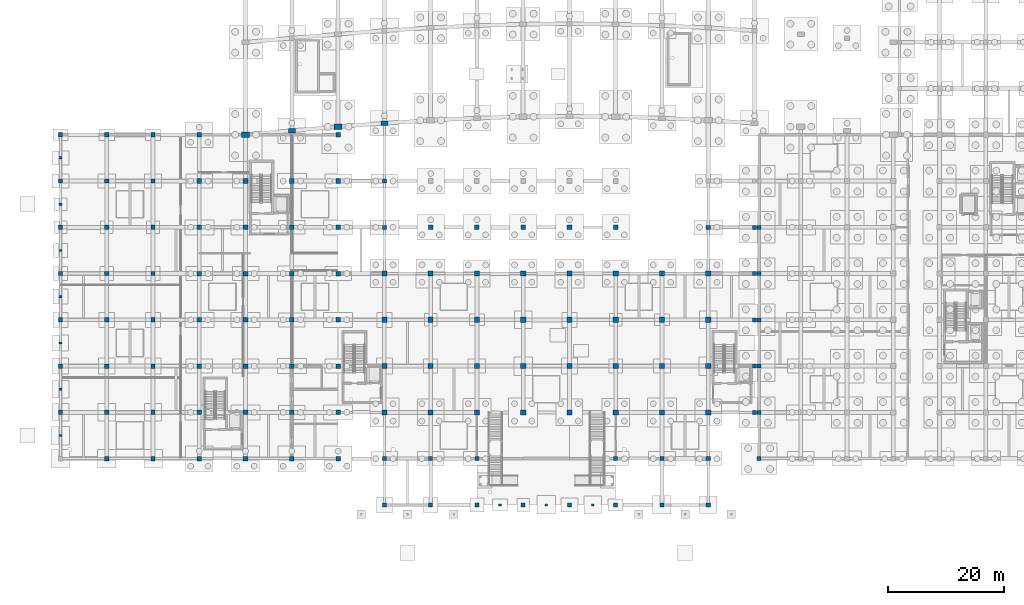
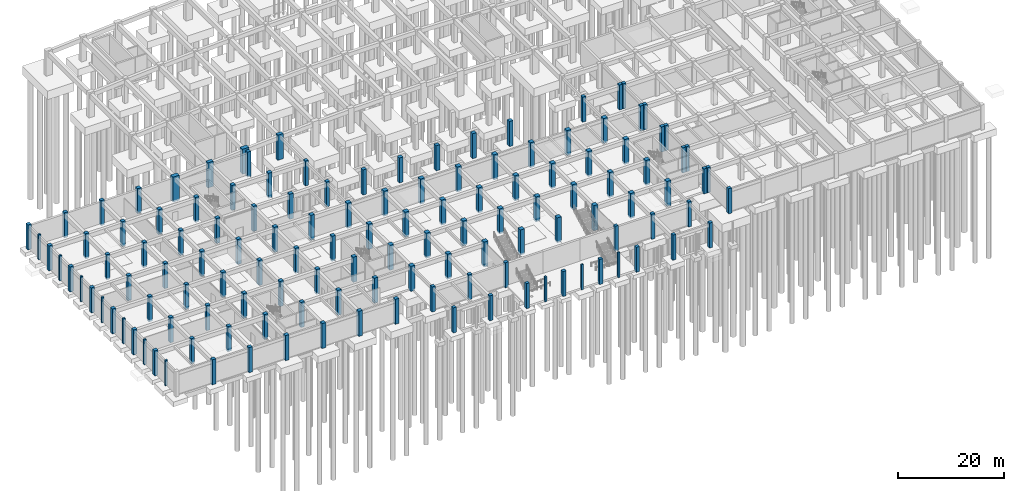
# One storey, part 10 of 45: 132 columns.
"""IFC4 building model written with IfcOpenShell, lengths in metres."""

from ifc_helpers import new_model, si_unit, direction, frame, origin, origin_2d, place, context, subcontext, project, spatial, rectangle, extrude, material, material_profile, profile_set, type_object, element, save


model = new_model("IFC4")

# Units and contexts
model_context = context("Model", 3, precision=1e-05, world=origin(), true_north=direction((0.0, 1.0)))
body_context = subcontext(model_context, "Body", "Model", "MODEL_VIEW")
ifc_project = project(units=[si_unit("LENGTHUNIT", "METRE"), si_unit("AREAUNIT", "SQUARE_METRE"), si_unit("VOLUMEUNIT", "CUBIC_METRE"), si_unit("PLANEANGLEUNIT", "RADIAN"), si_unit("MASSUNIT", "GRAM", prefix="KILO")], contexts=[model_context])

# Site, building, storey
site_placement = place(None, origin())
site = spatial("IfcSite", under=ifc_project, at=site_placement, CompositionType="ELEMENT")
building_placement = place(site_placement, origin())
building = spatial("IfcBuilding", under=site, at=building_placement, Name="Kenh Van Central Station", CompositionType="ELEMENT")
storey_placement = place(building_placement, frame((0.0, 0.0, -5.39990234375)))
storey = spatial("IfcBuildingStorey", under=building, at=storey_placement, Name="B1", CompositionType="ELEMENT", Elevation=-5.39990234375)

# Columns
ifc_material_1 = material(Name="Concrete C40/50", Category="concrete")
ifc_material_profile_1 = material_profile(ifc_material_1, rectangle(XDim=1.199951171875, YDim=0.800048828125, at=origin_2d()), Name="RC 1200x800")
ifc_profile_set_1 = profile_set([ifc_material_profile_1], Name="Concrete C40/50")
column_type_1 = type_object("IfcColumnType", Name="COL-PIER-1200x800", PredefinedType="COLUMN", material=ifc_profile_set_1)
for number, where, z_axis, x_axis, name in (
    (1, (40.0, 64.712158203125, -0.400146484375), (0.0, 0.0, 1.0), (1.0, 0.0, 0.0), "B1 column VPI-01-0"),
    (2, (56.0, 65.9951171875, -0.400146484375), (0.0, 0.0, 1.0), (1.0, 0.0, 0.0), "B1 column VPI-03-0"),
):
    element("IfcColumn", number, at=place(storey_placement, frame(where, z_axis=z_axis, x_axis=x_axis)), inside=storey, type_object=column_type_1, Name=name, PredefinedType="COLUMN", context=body_context, shape_type="SweptSolid", body=[
        extrude(rectangle(XDim=1.199951171875, YDim=0.800048828125, at=origin_2d()), origin(), (0.0, 0.0, 1.0), 5.800048828125),
    ])
ifc_material_profile_2 = material_profile(ifc_material_1, rectangle(XDim=1.39990234375, YDim=0.89990234375, at=origin_2d()), Name="RC 1400x900")
ifc_profile_set_2 = profile_set([ifc_material_profile_2], Name="Concrete C40/50")
column_type_2 = type_object("IfcColumnType", Name="COL-PIER-1400x900", PredefinedType="COLUMN", material=ifc_profile_set_2)
for number, where, z_axis, x_axis, name in (
    (3, (32.0, 64.0, -0.400146484375), (0.0, 0.0, 1.0), (1.0, 0.0, 0.0), "B1 column VP-00-0"),
    (4, (48.0, 65.388427734375, -0.400146484375), (0.0, 0.0, 1.0), (1.0, 0.0, 0.0), "B1 column VP-02-0"),
):
    element("IfcColumn", number, at=place(storey_placement, frame(where, z_axis=z_axis, x_axis=x_axis)), inside=storey, type_object=column_type_2, Name=name, PredefinedType="COLUMN", context=body_context, shape_type="SweptSolid", body=[
        extrude(rectangle(XDim=1.39990234375, YDim=0.89990234375, at=origin_2d()), origin(), (0.0, 0.0, 1.0), 5.800048828125),
    ])
ifc_material_profile_3 = material_profile(ifc_material_1, rectangle(XDim=0.699951171875, YDim=0.699951171875, at=origin_2d()), Name="RC 700x700")
ifc_profile_set_3 = profile_set([ifc_material_profile_3], Name="Concrete C40/50")
column_type_3 = type_object("IfcColumnType", Name="COL-RC-700x700", PredefinedType="COLUMN", material=ifc_profile_set_3)
for number, where, z_axis, x_axis, name in (
    (5, (56.0, 0.0, -0.400146484375), (0.0, 0.0, 1.0), (1.0, 0.0, 0.0), "B1 column CF-056-000"),
    (6, (56.0, 8.0, -0.400146484375), (0.0, 0.0, 1.0), (1.0, 0.0, 0.0), "B1 column CF-056-008"),
    (7, (64.0, 0.0, -0.400146484375), (0.0, 0.0, 1.0), (1.0, 0.0, 0.0), "B1 column CF-064-000"),
    (8, (64.0, 8.0, -0.400146484375), (0.0, 0.0, 1.0), (1.0, 0.0, 0.0), "B1 column CF-064-008"),
    (9, (72.0, 0.0, -0.400146484375), (0.0, 0.0, 1.0), (1.0, 0.0, 0.0), "B1 column CF-072-000"),
    (10, (72.0, 8.0, -0.400146484375), (0.0, 0.0, 1.0), (1.0, 0.0, 0.0), "B1 column CF-072-008"),
    (11, (80.0, 0.0, -0.400146484375), (0.0, 0.0, 1.0), (1.0, 0.0, 0.0), "B1 column CF-080-000"),
    (12, (88.0, 0.0, -0.400146484375), (0.0, 0.0, 1.0), (1.0, 0.0, 0.0), "B1 column CF-088-000"),
    (13, (96.0, 0.0, -0.400146484375), (0.0, 0.0, 1.0), (1.0, 0.0, 0.0), "B1 column CF-096-000"),
    (14, (96.0, 8.0, -0.400146484375), (0.0, 0.0, 1.0), (1.0, 0.0, 0.0), "B1 column CF-096-008"),
    (15, (104.0, 0.0, -0.400146484375), (0.0, 0.0, 1.0), (1.0, 0.0, 0.0), "B1 column CF-104-000"),
    (16, (104.0, 8.0, -0.400146484375), (0.0, 0.0, 1.0), (1.0, 0.0, 0.0), "B1 column CF-104-008"),
    (17, (112.0, 0.0, -0.400146484375), (0.0, 0.0, 1.0), (1.0, 0.0, 0.0), "B1 column CF-112-000"),
    (18, (112.0, 8.0, -0.400146484375), (0.0, 0.0, 1.0), (1.0, 0.0, 0.0), "B1 column CF-112-008"),
    (19, (120.0, 16.0, -0.400146484375), (0.0, 0.0, 1.0), (1.0, 0.0, 0.0), "B1 column CC-120-016"),
    (20, (120.0, 24.0, -0.400146484375), (0.0, 0.0, 1.0), (1.0, 0.0, 0.0), "B1 column CC-120-024"),
    (21, (120.0, 32.0, -0.400146484375), (0.0, 0.0, 1.0), (1.0, 0.0, 0.0), "B1 column CC-120-032"),
    (22, (120.0, 40.0, -0.400146484375), (0.0, 0.0, 1.0), (1.0, 0.0, 0.0), "B1 column CC-120-040"),
    (23, (56.0, 48.0, -0.400146484375), (0.0, 0.0, 1.0), (1.0, 0.0, 0.0), "B1 column CL-056-048"),
    (24, (56.0, 56.0, -0.400146484375), (0.0, 0.0, 1.0), (1.0, 0.0, 0.0), "B1 column CL-056-056"),
    (25, (112.0, 48.0, -0.400146484375), (0.0, 0.0, 1.0), (1.0, 0.0, 0.0), "B1 column CL-112-048"),
    (26, (120.0, 48.0, -0.400146484375), (0.0, 0.0, 1.0), (1.0, 0.0, 0.0), "B1 column CL-120-048"),
    (27, (120.800048828125, 8.0, -0.400146484375), (0.0, 0.0, 1.0), (1.0, 0.0, 0.0), "B1 column CE-1208-008"),
    (28, (120.800048828125, 16.0, -0.400146484375), (0.0, 0.0, 1.0), (1.0, 0.0, 0.0), "B1 column CE-1208-016"),
    (29, (120.800048828125, 24.0, -0.400146484375), (0.0, 0.0, 1.0), (1.0, 0.0, 0.0), "B1 column CE-1208-024"),
    (30, (120.800048828125, 32.0, -0.400146484375), (0.0, 0.0, 1.0), (1.0, 0.0, 0.0), "B1 column CE-1208-032"),
    (31, (120.800048828125, 40.0, -0.400146484375), (0.0, 0.0, 1.0), (1.0, 0.0, 0.0), "B1 column CE-1208-040"),
    (32, (120.800048828125, 48.0, -0.400146484375), (0.0, 0.0, 1.0), (1.0, 0.0, 0.0), "B1 column CE-1208-048"),
):
    element("IfcColumn", number, at=place(storey_placement, frame(where, z_axis=z_axis, x_axis=x_axis)), inside=storey, type_object=column_type_3, Name=name, PredefinedType="COLUMN", context=body_context, shape_type="SweptSolid", body=[
        extrude(rectangle(XDim=0.699951171875, YDim=0.699951171875, at=origin_2d()), origin(), (0.0, 0.0, 1.0), 5.800048828125),
    ])
ifc_material_profile_4 = material_profile(ifc_material_1, rectangle(XDim=0.75, YDim=0.75, at=origin_2d()), Name="RC 750x750")
ifc_profile_set_4 = profile_set([ifc_material_profile_4], Name="Concrete C40/50")
column_type_4 = type_object("IfcColumnType", Name="COL-RC-750x750", PredefinedType="COLUMN", material=ifc_profile_set_4)
for number, where, z_axis, x_axis, name in (
    (33, (0.0, 16.0, -0.400146484375), (0.0, 0.0, 1.0), (1.0, 0.0, 0.0), "B1 column CW-000-016"),
    (34, (0.0, 24.0, -0.400146484375), (0.0, 0.0, 1.0), (1.0, 0.0, 0.0), "B1 column CW-000-024"),
    (35, (0.0, 32.0, -0.400146484375), (0.0, 0.0, 1.0), (1.0, 0.0, 0.0), "B1 column CW-000-032"),
    (36, (0.0, 40.0, -0.400146484375), (0.0, 0.0, 1.0), (1.0, 0.0, 0.0), "B1 column CW-000-040"),
    (37, (0.0, 48.0, -0.400146484375), (0.0, 0.0, 1.0), (1.0, 0.0, 0.0), "B1 column CW-000-048"),
    (38, (0.0, 56.0, -0.400146484375), (0.0, 0.0, 1.0), (1.0, 0.0, 0.0), "B1 column CW-000-056"),
    (39, (0.0, 64.0, -0.400146484375), (0.0, 0.0, 1.0), (1.0, 0.0, 0.0), "B1 column CW-000-064"),
    (40, (8.0, 8.0, -0.400146484375), (0.0, 0.0, 1.0), (1.0, 0.0, 0.0), "B1 column CW-008-008"),
    (41, (8.0, 16.0, -0.400146484375), (0.0, 0.0, 1.0), (1.0, 0.0, 0.0), "B1 column CW-008-016"),
    (42, (8.0, 24.0, -0.400146484375), (0.0, 0.0, 1.0), (1.0, 0.0, 0.0), "B1 column CW-008-024"),
    (43, (8.0, 32.0, -0.400146484375), (0.0, 0.0, 1.0), (1.0, 0.0, 0.0), "B1 column CW-008-032"),
    (44, (8.0, 40.0, -0.400146484375), (0.0, 0.0, 1.0), (1.0, 0.0, 0.0), "B1 column CW-008-040"),
    (45, (8.0, 48.0, -0.400146484375), (0.0, 0.0, 1.0), (1.0, 0.0, 0.0), "B1 column CW-008-048"),
    (46, (8.0, 56.0, -0.400146484375), (0.0, 0.0, 1.0), (1.0, 0.0, 0.0), "B1 column CW-008-056"),
    (47, (8.0, 64.0, -0.400146484375), (0.0, 0.0, 1.0), (1.0, 0.0, 0.0), "B1 column CW-008-064"),
    (48, (16.0, 8.0, -0.400146484375), (0.0, 0.0, 1.0), (1.0, 0.0, 0.0), "B1 column CW-016-008"),
    (49, (16.0, 16.0, -0.400146484375), (0.0, 0.0, 1.0), (1.0, 0.0, 0.0), "B1 column CW-016-016"),
    (50, (16.0, 24.0, -0.400146484375), (0.0, 0.0, 1.0), (1.0, 0.0, 0.0), "B1 column CW-016-024"),
    (51, (16.0, 32.0, -0.400146484375), (0.0, 0.0, 1.0), (1.0, 0.0, 0.0), "B1 column CW-016-032"),
    (52, (16.0, 40.0, -0.400146484375), (0.0, 0.0, 1.0), (1.0, 0.0, 0.0), "B1 column CW-016-040"),
    (53, (16.0, 48.0, -0.400146484375), (0.0, 0.0, 1.0), (1.0, 0.0, 0.0), "B1 column CW-016-048"),
    (54, (16.0, 56.0, -0.400146484375), (0.0, 0.0, 1.0), (1.0, 0.0, 0.0), "B1 column CW-016-056"),
    (55, (16.0, 64.0, -0.400146484375), (0.0, 0.0, 1.0), (1.0, 0.0, 0.0), "B1 column CW-016-064"),
    (56, (48.0, 64.0, -0.400146484375), (0.0, 0.0, 1.0), (1.0, 0.0, 0.0), "B1 column CWST-48-64"),
):
    element("IfcColumn", number, at=place(storey_placement, frame(where, z_axis=z_axis, x_axis=x_axis)), inside=storey, type_object=column_type_4, Name=name, PredefinedType="COLUMN", context=body_context, shape_type="SweptSolid", body=[
        extrude(rectangle(XDim=0.75, YDim=0.75, at=origin_2d()), origin(), (0.0, 0.0, 1.0), 5.800048828125),
    ])
ifc_material_profile_5 = material_profile(ifc_material_1, rectangle(XDim=0.800048828125, YDim=0.800048828125, at=origin_2d()), Name="RC 800x800")
ifc_profile_set_5 = profile_set([ifc_material_profile_5], Name="Concrete C40/50")
column_type_5 = type_object("IfcColumnType", Name="COL-RC-800x800", PredefinedType="COLUMN", material=ifc_profile_set_5)
for number, where, z_axis, x_axis, name in (
    (57, (24.0, 8.0, -0.400146484375), (0.0, 0.0, 1.0), (1.0, 0.0, 0.0), "B1 column CW-024-008"),
    (58, (24.0, 16.0, -0.400146484375), (0.0, 0.0, 1.0), (1.0, 0.0, 0.0), "B1 column CW-024-016"),
    (59, (24.0, 24.0, -0.400146484375), (0.0, 0.0, 1.0), (1.0, 0.0, 0.0), "B1 column CW-024-024"),
    (60, (24.0, 32.0, -0.400146484375), (0.0, 0.0, 1.0), (1.0, 0.0, 0.0), "B1 column CW-024-032"),
    (61, (24.0, 40.0, -0.400146484375), (0.0, 0.0, 1.0), (1.0, 0.0, 0.0), "B1 column CW-024-040"),
    (62, (24.0, 48.0, -0.400146484375), (0.0, 0.0, 1.0), (1.0, 0.0, 0.0), "B1 column CW-024-048"),
    (63, (24.0, 56.0, -0.400146484375), (0.0, 0.0, 1.0), (1.0, 0.0, 0.0), "B1 column CW-024-056"),
    (64, (24.0, 64.0, -0.400146484375), (0.0, 0.0, 1.0), (1.0, 0.0, 0.0), "B1 column CW-024-064"),
    (65, (32.0, 8.0, -0.400146484375), (0.0, 0.0, 1.0), (1.0, 0.0, 0.0), "B1 column CW-032-008"),
    (66, (32.0, 16.0, -0.400146484375), (0.0, 0.0, 1.0), (1.0, 0.0, 0.0), "B1 column CW-032-016"),
    (67, (32.0, 24.0, -0.400146484375), (0.0, 0.0, 1.0), (1.0, 0.0, 0.0), "B1 column CW-032-024"),
    (68, (32.0, 32.0, -0.400146484375), (0.0, 0.0, 1.0), (1.0, 0.0, 0.0), "B1 column CW-032-032"),
    (69, (32.0, 40.0, -0.400146484375), (0.0, 0.0, 1.0), (1.0, 0.0, 0.0), "B1 column CW-032-040"),
    (70, (32.0, 48.0, -0.400146484375), (0.0, 0.0, 1.0), (1.0, 0.0, 0.0), "B1 column CW-032-048"),
    (71, (32.0, 56.0, -0.400146484375), (0.0, 0.0, 1.0), (1.0, 0.0, 0.0), "B1 column CW-032-056"),
    (72, (40.0, 8.0, -0.400146484375), (0.0, 0.0, 1.0), (1.0, 0.0, 0.0), "B1 column CW-040-008"),
    (73, (40.0, 16.0, -0.400146484375), (0.0, 0.0, 1.0), (1.0, 0.0, 0.0), "B1 column CW-040-016"),
    (74, (40.0, 24.0, -0.400146484375), (0.0, 0.0, 1.0), (1.0, 0.0, 0.0), "B1 column CW-040-024"),
    (75, (40.0, 32.0, -0.400146484375), (0.0, 0.0, 1.0), (1.0, 0.0, 0.0), "B1 column CW-040-032"),
    (76, (40.0, 40.0, -0.400146484375), (0.0, 0.0, 1.0), (1.0, 0.0, 0.0), "B1 column CW-040-040"),
    (77, (40.0, 48.0, -0.400146484375), (0.0, 0.0, 1.0), (1.0, 0.0, 0.0), "B1 column CW-040-048"),
    (78, (40.0, 56.0, -0.400146484375), (0.0, 0.0, 1.0), (1.0, 0.0, 0.0), "B1 column CW-040-056"),
    (79, (48.0, 8.0, -0.400146484375), (0.0, 0.0, 1.0), (1.0, 0.0, 0.0), "B1 column CW-048-008"),
    (80, (48.0, 16.0, -0.400146484375), (0.0, 0.0, 1.0), (1.0, 0.0, 0.0), "B1 column CW-048-016"),
    (81, (48.0, 24.0, -0.400146484375), (0.0, 0.0, 1.0), (1.0, 0.0, 0.0), "B1 column CW-048-024"),
    (82, (48.0, 32.0, -0.400146484375), (0.0, 0.0, 1.0), (1.0, 0.0, 0.0), "B1 column CW-048-032"),
    (83, (48.0, 40.0, -0.400146484375), (0.0, 0.0, 1.0), (1.0, 0.0, 0.0), "B1 column CW-048-040"),
    (84, (48.0, 48.0, -0.400146484375), (0.0, 0.0, 1.0), (1.0, 0.0, 0.0), "B1 column CW-048-048"),
    (85, (48.0, 56.0, -0.400146484375), (0.0, 0.0, 1.0), (1.0, 0.0, 0.0), "B1 column CW-048-056"),
    (86, (64.0, 48.0, -0.400146484375), (0.0, 0.0, 1.0), (1.0, 0.0, 0.0), "B1 column CB-064-048"),
    (87, (72.0, 48.0, -0.400146484375), (0.0, 0.0, 1.0), (1.0, 0.0, 0.0), "B1 column CB-072-048"),
    (88, (80.0, 48.0, -0.400146484375), (0.0, 0.0, 1.0), (1.0, 0.0, 0.0), "B1 column CB-080-048"),
    (89, (88.0, 48.0, -0.400146484375), (0.0, 0.0, 1.0), (1.0, 0.0, 0.0), "B1 column CB-088-048"),
    (90, (96.0, 48.0, -0.400146484375), (0.0, 0.0, 1.0), (1.0, 0.0, 0.0), "B1 column CB-096-048"),
):
    element("IfcColumn", number, at=place(storey_placement, frame(where, z_axis=z_axis, x_axis=x_axis)), inside=storey, type_object=column_type_5, Name=name, PredefinedType="COLUMN", context=body_context, shape_type="SweptSolid", body=[
        extrude(rectangle(XDim=0.800048828125, YDim=0.800048828125, at=origin_2d()), origin(), (0.0, 0.0, 1.0), 5.800048828125),
    ])
ifc_material_profile_6 = material_profile(ifc_material_1, rectangle(XDim=0.89990234375, YDim=0.89990234375, at=origin_2d()), Name="RC 900x900")
ifc_profile_set_6 = profile_set([ifc_material_profile_6], Name="Concrete C40/50")
column_type_6 = type_object("IfcColumnType", Name="COL-RC-900x900", PredefinedType="COLUMN", material=ifc_profile_set_6)
for number, where, z_axis, x_axis, name in (
    (91, (56.0, 16.0, -0.400146484375), (0.0, 0.0, 1.0), (1.0, 0.0, 0.0), "B1 column CC-056-016"),
    (92, (56.0, 24.0, -0.400146484375), (0.0, 0.0, 1.0), (1.0, 0.0, 0.0), "B1 column CC-056-024"),
    (93, (56.0, 32.0, -0.400146484375), (0.0, 0.0, 1.0), (1.0, 0.0, 0.0), "B1 column CC-056-032"),
    (94, (56.0, 40.0, -0.400146484375), (0.0, 0.0, 1.0), (1.0, 0.0, 0.0), "B1 column CC-056-040"),
    (95, (64.0, 16.0, -0.400146484375), (0.0, 0.0, 1.0), (1.0, 0.0, 0.0), "B1 column CC-064-016"),
    (96, (64.0, 24.0, -0.400146484375), (0.0, 0.0, 1.0), (1.0, 0.0, 0.0), "B1 column CC-064-024"),
    (97, (64.0, 32.0, -0.400146484375), (0.0, 0.0, 1.0), (1.0, 0.0, 0.0), "B1 column CC-064-032"),
    (98, (64.0, 40.0, -0.400146484375), (0.0, 0.0, 1.0), (1.0, 0.0, 0.0), "B1 column CC-064-040"),
    (99, (72.0, 16.0, -0.400146484375), (0.0, 0.0, 1.0), (1.0, 0.0, 0.0), "B1 column CC-072-016"),
    (100, (72.0, 24.0, -0.400146484375), (0.0, 0.0, 1.0), (1.0, 0.0, 0.0), "B1 column CC-072-024"),
    (101, (72.0, 32.0, -0.400146484375), (0.0, 0.0, 1.0), (1.0, 0.0, 0.0), "B1 column CC-072-032"),
    (102, (72.0, 40.0, -0.400146484375), (0.0, 0.0, 1.0), (1.0, 0.0, 0.0), "B1 column CC-072-040"),
    (103, (80.0, 16.0, -0.400146484375), (0.0, 0.0, 1.0), (1.0, 0.0, 0.0), "B1 column CC-080-016"),
    (104, (80.0, 24.0, -0.400146484375), (0.0, 0.0, 1.0), (1.0, 0.0, 0.0), "B1 column CC-080-024"),
    (105, (80.0, 32.0, -0.400146484375), (0.0, 0.0, 1.0), (1.0, 0.0, 0.0), "B1 column CC-080-032"),
    (106, (80.0, 40.0, -0.400146484375), (0.0, 0.0, 1.0), (1.0, 0.0, 0.0), "B1 column CC-080-040"),
    (107, (88.0, 16.0, -0.400146484375), (0.0, 0.0, 1.0), (1.0, 0.0, 0.0), "B1 column CC-088-016"),
    (108, (88.0, 24.0, -0.400146484375), (0.0, 0.0, 1.0), (1.0, 0.0, 0.0), "B1 column CC-088-024"),
    (109, (88.0, 32.0, -0.400146484375), (0.0, 0.0, 1.0), (1.0, 0.0, 0.0), "B1 column CC-088-032"),
    (110, (88.0, 40.0, -0.400146484375), (0.0, 0.0, 1.0), (1.0, 0.0, 0.0), "B1 column CC-088-040"),
    (111, (96.0, 16.0, -0.400146484375), (0.0, 0.0, 1.0), (1.0, 0.0, 0.0), "B1 column CC-096-016"),
    (112, (96.0, 24.0, -0.400146484375), (0.0, 0.0, 1.0), (1.0, 0.0, 0.0), "B1 column CC-096-024"),
    (113, (96.0, 32.0, -0.400146484375), (0.0, 0.0, 1.0), (1.0, 0.0, 0.0), "B1 column CC-096-032"),
    (114, (96.0, 40.0, -0.400146484375), (0.0, 0.0, 1.0), (1.0, 0.0, 0.0), "B1 column CC-096-040"),
    (115, (104.0, 16.0, -0.400146484375), (0.0, 0.0, 1.0), (1.0, 0.0, 0.0), "B1 column CC-104-016"),
    (116, (104.0, 24.0, -0.400146484375), (0.0, 0.0, 1.0), (1.0, 0.0, 0.0), "B1 column CC-104-024"),
    (117, (104.0, 32.0, -0.400146484375), (0.0, 0.0, 1.0), (1.0, 0.0, 0.0), "B1 column CC-104-032"),
    (118, (104.0, 40.0, -0.400146484375), (0.0, 0.0, 1.0), (1.0, 0.0, 0.0), "B1 column CC-104-040"),
    (119, (112.0, 16.0, -0.400146484375), (0.0, 0.0, 1.0), (1.0, 0.0, 0.0), "B1 column CC-112-016"),
    (120, (112.0, 24.0, -0.400146484375), (0.0, 0.0, 1.0), (1.0, 0.0, 0.0), "B1 column CC-112-024"),
    (121, (112.0, 32.0, -0.400146484375), (0.0, 0.0, 1.0), (1.0, 0.0, 0.0), "B1 column CC-112-032"),
    (122, (112.0, 40.0, -0.400146484375), (0.0, 0.0, 1.0), (1.0, 0.0, 0.0), "B1 column CC-112-040"),
):
    element("IfcColumn", number, at=place(storey_placement, frame(where, z_axis=z_axis, x_axis=x_axis)), inside=storey, type_object=column_type_6, Name=name, PredefinedType="COLUMN", context=body_context, shape_type="SweptSolid", body=[
        extrude(rectangle(XDim=0.89990234375, YDim=0.89990234375, at=origin_2d()), origin(), (0.0, 0.0, 1.0), 5.800048828125),
    ])
ifc_material_2 = material(Name="Concrete C35/45", Category="concrete")
ifc_material_profile_7 = material_profile(ifc_material_2, rectangle(XDim=0.449951171875, YDim=0.35009765625, at=origin_2d()), Name="RC 450x350")
ifc_profile_set_7 = profile_set([ifc_material_profile_7], Name="Concrete C35/45")
column_type_7 = type_object("IfcColumnType", Name="PIL-RC-450x350", PredefinedType="PILASTER", material=ifc_profile_set_7)
for number, where, z_axis, x_axis, name in (
    (123, (76.0, 0.0, -0.400146484375), (0.0, 0.0, 1.0), (1.0, 0.0, 0.0), "B1 column PIL-F-00"),
    (124, (84.0, 0.0, -0.400146484375), (0.0, 0.0, 1.0), (1.0, 0.0, 0.0), "B1 column PIL-F-01"),
    (125, (92.0, 0.0, -0.400146484375), (0.0, 0.0, 1.0), (1.0, 0.0, 0.0), "B1 column PIL-F-02"),
):
    element("IfcColumn", number, at=place(storey_placement, frame(where, z_axis=z_axis, x_axis=x_axis)), inside=storey, type_object=column_type_7, Name=name, PredefinedType="PILASTER", context=body_context, shape_type="SweptSolid", body=[
        extrude(rectangle(XDim=0.449951171875, YDim=0.35009765625, at=origin_2d()), origin(), (0.0, 0.0, 1.0), 5.800048828125),
    ])
ifc_material_profile_8 = material_profile(ifc_material_2, rectangle(XDim=0.5, YDim=0.39990234375, at=origin_2d()), Name="RC 500x400")
ifc_profile_set_8 = profile_set([ifc_material_profile_8], Name="Concrete C35/45")
column_type_8 = type_object("IfcColumnType", Name="PIL-RC-500x400", PredefinedType="PILASTER", material=ifc_profile_set_8)
for number, where, z_axis, x_axis, name in (
    (126, (0.0, 12.0, -0.400146484375), (0.0, 0.0, 1.0), (1.0, 0.0, 0.0), "B1 column PIL-W-00"),
    (127, (0.0, 20.0, -0.400146484375), (0.0, 0.0, 1.0), (1.0, 0.0, 0.0), "B1 column PIL-W-01"),
    (128, (0.0, 28.0, -0.400146484375), (0.0, 0.0, 1.0), (1.0, 0.0, 0.0), "B1 column PIL-W-02"),
    (129, (0.0, 36.0, -0.400146484375), (0.0, 0.0, 1.0), (1.0, 0.0, 0.0), "B1 column PIL-W-03"),
    (130, (0.0, 44.0, -0.400146484375), (0.0, 0.0, 1.0), (1.0, 0.0, 0.0), "B1 column PIL-W-04"),
    (131, (0.0, 52.0, -0.400146484375), (0.0, 0.0, 1.0), (1.0, 0.0, 0.0), "B1 column PIL-W-05"),
    (132, (0.0, 60.0, -0.400146484375), (0.0, 0.0, 1.0), (1.0, 0.0, 0.0), "B1 column PIL-W-06"),
):
    element("IfcColumn", number, at=place(storey_placement, frame(where, z_axis=z_axis, x_axis=x_axis)), inside=storey, type_object=column_type_8, Name=name, PredefinedType="PILASTER", context=body_context, shape_type="SweptSolid", body=[
        extrude(rectangle(XDim=0.5, YDim=0.39990234375, at=origin_2d()), origin(), (0.0, 0.0, 1.0), 5.800048828125),
    ])

save(model, "model.ifc")
